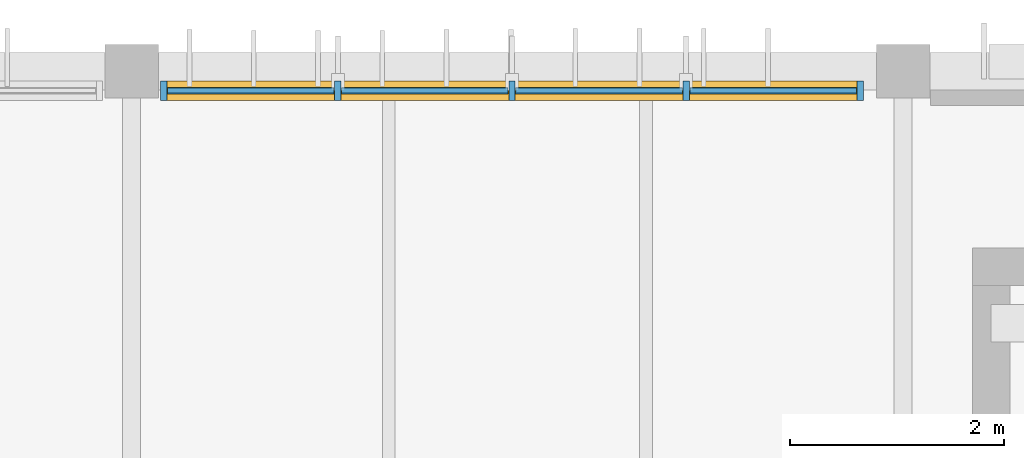
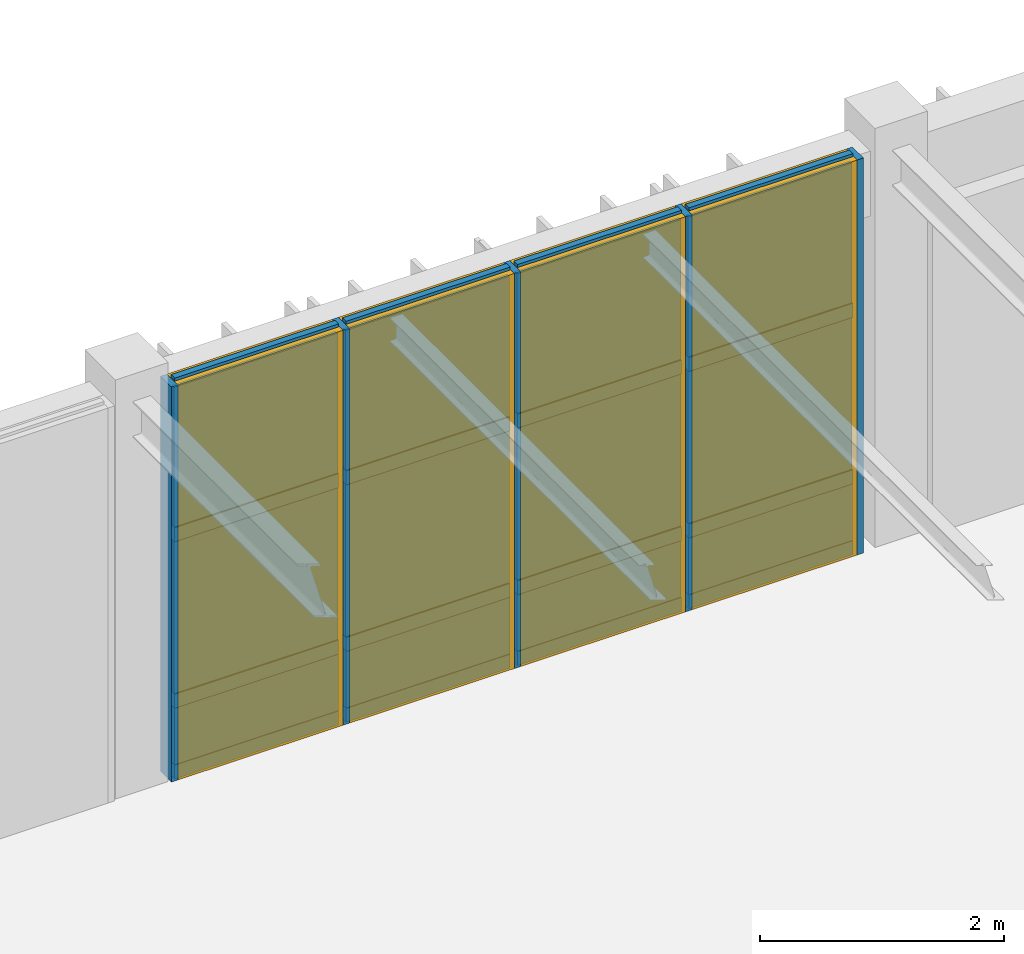
# One storey, part 85 of 104: 21 members, 12 plates, 1 curtain wall.
"""IFC4 building model written with IfcOpenShell, lengths in metres."""

import ifcopenshell
import ifcopenshell.guid

model = None  # the IFC model being written
_history = None  # IfcOwnerHistory: only IFC2X3 demands one
_inside = {}  # id of a spatial element -> (the spatial element, [elements in it])
_under = {}  # id of a project, library or spatial element -> (it, [spatial elements below it])
_declared = {}  # id of a project -> (the project, [libraries it declares])
_typed = {}  # id of a type object -> (the type object, [elements of that type])
_made_of = {}  # id of a material, layer set ... -> (it, [elements and type objects made of it])


def new_model(schema):
    """Start an empty IFC model of exactly this schema.

    Asked for "IFC4X3", IfcOpenShell would pick the latest addendum, in which some entities
    have other attributes; the version numbers below select the first issue.
    IFC2X3 requires an IfcOwnerHistory on every rooted entity: one is made here for all.
    """
    global model, _history
    if schema == "IFC4X3":
        model = ifcopenshell.file(schema_version=(4, 3, 0, 0))
    else:
        model = ifcopenshell.file(schema=schema)
    _inside.clear()
    _under.clear()
    _declared.clear()
    _typed.clear()
    _made_of.clear()
    _history = None
    if model.schema == "IFC2X3":
        org = make("IfcOrganization", Name="unknown")
        user = make(
            "IfcPersonAndOrganization",
            ThePerson=make("IfcPerson", FamilyName="unknown"),
            TheOrganization=org,
        )
        app = make(
            "IfcApplication",
            ApplicationDeveloper=org,
            Version="unknown",
            ApplicationFullName="unknown",
            ApplicationIdentifier="unknown",
        )
        _history = make(
            "IfcOwnerHistory",
            OwningUser=user,
            OwningApplication=app,
            ChangeAction="ADDED",
            CreationDate=0,
        )
    return model


def make(cls, **values):
    """One entity of the class cls with the attributes given. An attribute that is None is left unset."""
    return model.create_entity(
        cls, **{name: value for name, value in values.items() if value is not None}
    )


def rooted(cls, **values):
    """An entity with a GlobalId (a new one), such as an element, a storey or a relation."""
    return make(cls, GlobalId=ifcopenshell.guid.new(), OwnerHistory=_history, **values)


def si_unit(unit_type, name, prefix=None):
    """IfcSIUnit, for example si_unit("LENGTHUNIT", "METRE", prefix="MILLI")."""
    return make("IfcSIUnit", UnitType=unit_type, Prefix=prefix, Name=name)


def assignment(units):
    """IfcUnitAssignment: the units of a project."""
    return None if units is None else make("IfcUnitAssignment", Units=units)


def point(xyz):
    """IfcCartesianPoint."""
    return None if xyz is None else make("IfcCartesianPoint", Coordinates=xyz)


def direction(xyz):
    """IfcDirection."""
    return None if xyz is None else make("IfcDirection", DirectionRatios=xyz)


def frame(location, z_axis=None, x_axis=None):
    """IfcAxis2Placement3D, a coordinate frame: its origin and axes. An axis left out is left unset."""
    return make(
        "IfcAxis2Placement3D",
        Location=point(location),
        Axis=direction(z_axis),
        RefDirection=direction(x_axis),
    )


def frame_2d(location, x_axis=None):
    """IfcAxis2Placement2D, a coordinate frame in the plane: its origin and x axis."""
    return make(
        "IfcAxis2Placement2D", Location=point(location), RefDirection=direction(x_axis)
    )


def origin():
    """The frame at (0, 0, 0) with its axes left unset."""
    return frame((0.0, 0.0, 0.0))


def origin_2d():
    """The frame at (0, 0) in the plane with its x axis left unset."""
    return frame_2d((0.0, 0.0))


def place(relative_to, where):
    """IfcLocalPlacement: puts the frame where relative to a parent placement (None: the world)."""
    return make(
        "IfcLocalPlacement", PlacementRelTo=relative_to, RelativePlacement=where
    )


def context(
    kind, dimensions, precision=None, world=None, true_north=None, identifier=None
):
    """IfcGeometricRepresentationContext, for example the 3D "Model" context."""
    return make(
        "IfcGeometricRepresentationContext",
        ContextIdentifier=identifier,
        ContextType=kind,
        CoordinateSpaceDimension=dimensions,
        Precision=precision,
        WorldCoordinateSystem=world,
        TrueNorth=true_north,
    )


def subcontext(parent, identifier, kind, view, scale=None):
    """IfcGeometricRepresentationSubContext, for example "Body" below "Model"."""
    return make(
        "IfcGeometricRepresentationSubContext",
        ContextIdentifier=identifier,
        ContextType=kind,
        ParentContext=parent,
        TargetScale=scale,
        TargetView=view,
    )


def project(units=None, contexts=None):
    """IfcProject with its units and contexts."""
    return rooted(
        "IfcProject",
        Name="project",
        RepresentationContexts=contexts,
        UnitsInContext=assignment(units),
    )


def spatial(cls, under=None, at=None, **own):
    """A site, building, storey or space (cls), placed at a placement, below another one or the project."""
    s = rooted(cls, ObjectPlacement=at, **own)
    if under is not None:
        _under.setdefault(under.id(), (under, []))[1].append(s)
    return s


def profile(cls, at=None, kind="AREA", **sizes):
    """A parametric profile (cls). Its sizes go by their IFC names, for example OverallWidth=200.0."""
    return make(cls, ProfileType=kind, Position=at, **sizes)


def rectangle(**sizes):
    """IfcRectangleProfileDef."""
    return profile("IfcRectangleProfileDef", **sizes)


def extrude(swept, where, along, depth):
    """IfcExtrudedAreaSolid: the profile swept, set in the frame where, extruded along a direction by depth."""
    return make(
        "IfcExtrudedAreaSolid",
        SweptArea=swept,
        Position=where,
        ExtrudedDirection=direction(along),
        Depth=depth,
    )


def shape(context_of_items, identifier, shape_type, items):
    """IfcShapeRepresentation: the items that make up one representation, for example the "Body"."""
    return make(
        "IfcShapeRepresentation",
        ContextOfItems=context_of_items,
        RepresentationIdentifier=identifier,
        RepresentationType=shape_type,
        Items=items,
    )


def material(Name=None, Category=None):
    """IfcMaterial."""
    return make("IfcMaterial", Name=Name, Category=Category)


def layer(
    of_material, thickness, ventilated=None, Name=None, Category=None, Priority=None
):
    """IfcMaterialLayer: one layer of a wall or slab, of a material (None: an air gap)."""
    return make(
        "IfcMaterialLayer",
        Material=of_material,
        LayerThickness=thickness,
        IsVentilated=ventilated,
        Name=Name,
        Category=Category,
        Priority=Priority,
    )


def layer_set(layers, Name=None):
    """IfcMaterialLayerSet."""
    return make("IfcMaterialLayerSet", MaterialLayers=layers, LayerSetName=Name)


def material_profile(
    of_material, cross_section, Name=None, Category=None, Priority=None
):
    """IfcMaterialProfile: a cross section and its material."""
    return make(
        "IfcMaterialProfile",
        Name=Name,
        Material=of_material,
        Profile=cross_section,
        Priority=Priority,
        Category=Category,
    )


def profile_set(profiles, Name=None, composite=None):
    """IfcMaterialProfileSet."""
    return make(
        "IfcMaterialProfileSet",
        Name=Name,
        MaterialProfiles=profiles,
        CompositeProfile=composite,
    )


def made_of(thing, what):
    """Note that an element or type object is made of a material, layer set ...; save() writes the relation."""
    if what is not None:
        _made_of.setdefault(what.id(), (what, []))[1].append(thing)
    return thing


def type_object(cls, material=None, **own):
    """A type object (cls), such as IfcWallType, which elements share."""
    return made_of(rooted(cls, **own), material)


def element(
    cls,
    number,
    at=None,
    inside=None,
    cuts=None,
    type_object=None,
    material=None,
    context=None,
    identifier="Body",
    shape_type=None,
    held_by="IfcProductDefinitionShape",
    body=None,
    shapes=None,
    **own,
):
    """One element of the class cls, such as IfcWall. Its Tag is "e" and its number.

    at: its placement. inside: the storey or other place that contains it. cuts: it is an
    opening in that element (IfcRelVoidsElement). A single representation is given by context,
    identifier, shape_type and body (its items); several are given by shapes. held_by: the class
    of the entity that holds the representations. save() writes the other relations.
    """
    e = rooted(cls, Tag="e%d" % number, ObjectPlacement=at, **own)
    if body is not None:
        shapes = [shape(context, identifier, shape_type, body)]
    if shapes is not None:
        e.Representation = make(held_by, Representations=shapes)
    if inside is not None:
        _inside.setdefault(inside.id(), (inside, []))[1].append(e)
    if cuts is not None:
        rooted(
            "IfcRelVoidsElement", RelatingBuildingElement=cuts, RelatedOpeningElement=e
        )
    if type_object is not None:
        _typed.setdefault(type_object.id(), (type_object, []))[1].append(e)
    return made_of(e, material)


def aggregate(whole, parts):
    """IfcRelAggregates: a whole, such as a stair, and the parts it consists of."""
    return rooted("IfcRelAggregates", RelatingObject=whole, RelatedObjects=parts)


def save(model, path):
    """Write the relations noted so far, then the file.

    IfcRelAggregates (storeys below a building ...), IfcRelContainedInSpatialStructure (elements
    in a storey), IfcRelDefinesByType, IfcRelAssociatesMaterial and IfcRelDeclares: one each for
    every whole, place, type object, material and project.
    """
    for whole, parts in _under.values():
        aggregate(whole, parts)
    for where, things in _inside.values():
        rooted(
            "IfcRelContainedInSpatialStructure",
            RelatedElements=things,
            RelatingStructure=where,
        )
    for kind, things in _typed.values():
        rooted("IfcRelDefinesByType", RelatedObjects=things, RelatingType=kind)
    for what, things in _made_of.values():
        rooted("IfcRelAssociatesMaterial", RelatedObjects=things, RelatingMaterial=what)
    for by, libraries in _declared.values():
        rooted("IfcRelDeclares", RelatingContext=by, RelatedDefinitions=libraries)
    model.write(path)


model = new_model("IFC4")

# Units and contexts
model_context = context("Model", 3, precision=1e-05, world=origin(), true_north=direction((0.0, 1.0)))
body_context = subcontext(model_context, "Body", "Model", "MODEL_VIEW")
ifc_project = project(units=[si_unit("LENGTHUNIT", "METRE"), si_unit("AREAUNIT", "SQUARE_METRE"), si_unit("VOLUMEUNIT", "CUBIC_METRE"), si_unit("PLANEANGLEUNIT", "RADIAN"), si_unit("MASSUNIT", "GRAM", prefix="KILO")], contexts=[model_context])

# Member
ifc_material_1 = material(Name="Anodised Bronze Aluminium 6063-T6", Category="aluminium")
ifc_material_profile_1 = material_profile(ifc_material_1, rectangle(XDim=0.06005859375, YDim=0.179931640625, at=origin_2d()), Name="ALU MULLION 60x180")
ifc_profile_set_1 = profile_set([ifc_material_profile_1], Name="Anodised Bronze Aluminium 6063-T6")
member_type_1 = type_object("IfcMemberType", Name="Curtain-Wall Primary Mullion 60x180", PredefinedType="MULLION", material=ifc_profile_set_1)
site_placement = place(None, origin())
building_placement = place(site_placement, origin())
storey_placement = place(building_placement, frame((0.0, 0.0, 9.0)))
member_1_placement = place(storey_placement, frame((110.10009765625, 111.6201171875, 0.0), z_axis=(0.0, 0.0, 1.0), x_axis=(1.0, 0.0, 0.0)))
member_1 = element("IfcMember", 1, at=member_1_placement, type_object=member_type_1, Name="Mullion CWM-01 CW-V3-N1-L02-B2-M01", PredefinedType="MULLION", context=body_context, shape_type="SweptSolid", body=[
    extrude(rectangle(XDim=0.06005859375, YDim=0.179931640625, at=origin_2d()), origin(), (0.0, 0.0, 1.0), 3.9599609375),
])

member_2_placement = place(storey_placement, frame((111.72509765625, 111.6201171875, 0.0), z_axis=(0.0, 0.0, 1.0), x_axis=(1.0, 0.0, 0.0)))
member_2 = element("IfcMember", 2, at=member_2_placement, type_object=member_type_1, Name="Mullion CWM-01 CW-V3-N1-L02-B2-M02", PredefinedType="MULLION", context=body_context, shape_type="SweptSolid", body=[
    extrude(rectangle(XDim=0.06005859375, YDim=0.179931640625, at=origin_2d()), origin(), (0.0, 0.0, 1.0), 3.9599609375),
])

member_3_placement = place(storey_placement, frame((113.35009765625, 111.6201171875, 0.0), z_axis=(0.0, 0.0, 1.0), x_axis=(1.0, 0.0, 0.0)))
member_3 = element("IfcMember", 3, at=member_3_placement, type_object=member_type_1, Name="Mullion CWM-01 CW-V3-N1-L02-B2-M03", PredefinedType="MULLION", context=body_context, shape_type="SweptSolid", body=[
    extrude(rectangle(XDim=0.06005859375, YDim=0.179931640625, at=origin_2d()), origin(), (0.0, 0.0, 1.0), 3.9599609375),
])

member_4_placement = place(storey_placement, frame((114.97509765625, 111.6201171875, 0.0), z_axis=(0.0, 0.0, 1.0), x_axis=(1.0, 0.0, 0.0)))
member_4 = element("IfcMember", 4, at=member_4_placement, type_object=member_type_1, Name="Mullion CWM-01 CW-V3-N1-L02-B2-M04", PredefinedType="MULLION", context=body_context, shape_type="SweptSolid", body=[
    extrude(rectangle(XDim=0.06005859375, YDim=0.179931640625, at=origin_2d()), origin(), (0.0, 0.0, 1.0), 3.9599609375),
])

member_5_placement = place(storey_placement, frame((116.60009765625, 111.6201171875, 0.0), z_axis=(0.0, 0.0, 1.0), x_axis=(1.0, 0.0, 0.0)))
member_5 = element("IfcMember", 5, at=member_5_placement, type_object=member_type_1, Name="Mullion CWM-01 CW-V3-N1-L02-B2-M05", PredefinedType="MULLION", context=body_context, shape_type="SweptSolid", body=[
    extrude(rectangle(XDim=0.06005859375, YDim=0.179931640625, at=origin_2d()), origin(), (0.0, 0.0, 1.0), 3.9599609375),
])

ifc_material_profile_2 = material_profile(ifc_material_1, rectangle(XDim=0.06005859375, YDim=0.139892578125, at=origin_2d()), Name="ALU TRANSOM 60x140")
ifc_profile_set_2 = profile_set([ifc_material_profile_2], Name="Anodised Bronze Aluminium 6063-T6")
member_type_2 = type_object("IfcMemberType", Name="Curtain-Wall Transom 60x140", PredefinedType="USERDEFINED", material=ifc_profile_set_2)
member_6_placement = place(storey_placement, frame((110.135009765625, 111.6201171875, 0.0400390625), z_axis=(1.0, 0.0, 0.0), x_axis=(0.0, 1.0, 0.0)))
member_6 = element("IfcMember", 6, at=member_6_placement, type_object=member_type_2, Name="Transom CWT-01 CW-V3-N1-L02-B2-T01.1", ObjectType="TRANSOM", PredefinedType="USERDEFINED", context=body_context, shape_type="SweptSolid", body=[
    extrude(rectangle(XDim=0.06005859375, YDim=0.139892578125, at=origin_2d()), origin(), (0.0, 0.0, 1.0), 1.554931640625),
])

member_7_placement = place(storey_placement, frame((110.135009765625, 111.6201171875, 0.75), z_axis=(1.0, 0.0, 0.0), x_axis=(0.0, 1.0, 0.0)))
member_7 = element("IfcMember", 7, at=member_7_placement, type_object=member_type_2, Name="Transom CWT-01 CW-V3-N1-L02-B2-T01.2", ObjectType="TRANSOM", PredefinedType="USERDEFINED", context=body_context, shape_type="SweptSolid", body=[
    extrude(rectangle(XDim=0.06005859375, YDim=0.139892578125, at=origin_2d()), origin(), (0.0, 0.0, 1.0), 1.554931640625),
])

member_8_placement = place(storey_placement, frame((110.135009765625, 111.6201171875, 2.419189453125), z_axis=(1.0, 0.0, 0.0), x_axis=(0.0, 1.0, 0.0)))
member_8 = element("IfcMember", 8, at=member_8_placement, type_object=member_type_2, Name="Transom CWT-01 CW-V3-N1-L02-B2-T01.3", ObjectType="TRANSOM", PredefinedType="USERDEFINED", context=body_context, shape_type="SweptSolid", body=[
    extrude(rectangle(XDim=0.06005859375, YDim=0.139892578125, at=origin_2d()), origin(), (0.0, 0.0, 1.0), 1.554931640625),
])

member_9_placement = place(storey_placement, frame((110.135009765625, 111.6201171875, 3.919921875), z_axis=(1.0, 0.0, 0.0), x_axis=(0.0, 1.0, 0.0)))
member_9 = element("IfcMember", 9, at=member_9_placement, type_object=member_type_2, Name="Transom CWT-01 CW-V3-N1-L02-B2-T01.4", ObjectType="TRANSOM", PredefinedType="USERDEFINED", context=body_context, shape_type="SweptSolid", body=[
    extrude(rectangle(XDim=0.06005859375, YDim=0.139892578125, at=origin_2d()), origin(), (0.0, 0.0, 1.0), 1.554931640625),
])

member_10_placement = place(storey_placement, frame((111.760009765625, 111.6201171875, 0.0400390625), z_axis=(1.0, 0.0, 0.0), x_axis=(0.0, 1.0, 0.0)))
member_10 = element("IfcMember", 10, at=member_10_placement, type_object=member_type_2, Name="Transom CWT-01 CW-V3-N1-L02-B2-T02.1", ObjectType="TRANSOM", PredefinedType="USERDEFINED", context=body_context, shape_type="SweptSolid", body=[
    extrude(rectangle(XDim=0.06005859375, YDim=0.139892578125, at=origin_2d()), origin(), (0.0, 0.0, 1.0), 1.554931640625),
])

member_11_placement = place(storey_placement, frame((111.760009765625, 111.6201171875, 0.75), z_axis=(1.0, 0.0, 0.0), x_axis=(0.0, 1.0, 0.0)))
member_11 = element("IfcMember", 11, at=member_11_placement, type_object=member_type_2, Name="Transom CWT-01 CW-V3-N1-L02-B2-T02.2", ObjectType="TRANSOM", PredefinedType="USERDEFINED", context=body_context, shape_type="SweptSolid", body=[
    extrude(rectangle(XDim=0.06005859375, YDim=0.139892578125, at=origin_2d()), origin(), (0.0, 0.0, 1.0), 1.554931640625),
])

member_12_placement = place(storey_placement, frame((111.760009765625, 111.6201171875, 2.419189453125), z_axis=(1.0, 0.0, 0.0), x_axis=(0.0, 1.0, 0.0)))
member_12 = element("IfcMember", 12, at=member_12_placement, type_object=member_type_2, Name="Transom CWT-01 CW-V3-N1-L02-B2-T02.3", ObjectType="TRANSOM", PredefinedType="USERDEFINED", context=body_context, shape_type="SweptSolid", body=[
    extrude(rectangle(XDim=0.06005859375, YDim=0.139892578125, at=origin_2d()), origin(), (0.0, 0.0, 1.0), 1.554931640625),
])

member_13_placement = place(storey_placement, frame((111.760009765625, 111.6201171875, 3.919921875), z_axis=(1.0, 0.0, 0.0), x_axis=(0.0, 1.0, 0.0)))
member_13 = element("IfcMember", 13, at=member_13_placement, type_object=member_type_2, Name="Transom CWT-01 CW-V3-N1-L02-B2-T02.4", ObjectType="TRANSOM", PredefinedType="USERDEFINED", context=body_context, shape_type="SweptSolid", body=[
    extrude(rectangle(XDim=0.06005859375, YDim=0.139892578125, at=origin_2d()), origin(), (0.0, 0.0, 1.0), 1.554931640625),
])

member_14_placement = place(storey_placement, frame((113.385009765625, 111.6201171875, 0.0400390625), z_axis=(1.0, 0.0, 0.0), x_axis=(0.0, 1.0, 0.0)))
member_14 = element("IfcMember", 14, at=member_14_placement, type_object=member_type_2, Name="Transom CWT-01 CW-V3-N1-L02-B2-T03.1", ObjectType="TRANSOM", PredefinedType="USERDEFINED", context=body_context, shape_type="SweptSolid", body=[
    extrude(rectangle(XDim=0.06005859375, YDim=0.139892578125, at=origin_2d()), origin(), (0.0, 0.0, 1.0), 1.554931640625),
])

member_15_placement = place(storey_placement, frame((113.385009765625, 111.6201171875, 0.75), z_axis=(1.0, 0.0, 0.0), x_axis=(0.0, 1.0, 0.0)))
member_15 = element("IfcMember", 15, at=member_15_placement, type_object=member_type_2, Name="Transom CWT-01 CW-V3-N1-L02-B2-T03.2", ObjectType="TRANSOM", PredefinedType="USERDEFINED", context=body_context, shape_type="SweptSolid", body=[
    extrude(rectangle(XDim=0.06005859375, YDim=0.139892578125, at=origin_2d()), origin(), (0.0, 0.0, 1.0), 1.554931640625),
])

member_16_placement = place(storey_placement, frame((113.385009765625, 111.6201171875, 2.419189453125), z_axis=(1.0, 0.0, 0.0), x_axis=(0.0, 1.0, 0.0)))
member_16 = element("IfcMember", 16, at=member_16_placement, type_object=member_type_2, Name="Transom CWT-01 CW-V3-N1-L02-B2-T03.3", ObjectType="TRANSOM", PredefinedType="USERDEFINED", context=body_context, shape_type="SweptSolid", body=[
    extrude(rectangle(XDim=0.06005859375, YDim=0.139892578125, at=origin_2d()), origin(), (0.0, 0.0, 1.0), 1.554931640625),
])

member_17_placement = place(storey_placement, frame((113.385009765625, 111.6201171875, 3.919921875), z_axis=(1.0, 0.0, 0.0), x_axis=(0.0, 1.0, 0.0)))
member_17 = element("IfcMember", 17, at=member_17_placement, type_object=member_type_2, Name="Transom CWT-01 CW-V3-N1-L02-B2-T03.4", ObjectType="TRANSOM", PredefinedType="USERDEFINED", context=body_context, shape_type="SweptSolid", body=[
    extrude(rectangle(XDim=0.06005859375, YDim=0.139892578125, at=origin_2d()), origin(), (0.0, 0.0, 1.0), 1.554931640625),
])

member_18_placement = place(storey_placement, frame((115.010009765625, 111.6201171875, 0.0400390625), z_axis=(1.0, 0.0, 0.0), x_axis=(0.0, 1.0, 0.0)))
member_18 = element("IfcMember", 18, at=member_18_placement, type_object=member_type_2, Name="Transom CWT-01 CW-V3-N1-L02-B2-T04.1", ObjectType="TRANSOM", PredefinedType="USERDEFINED", context=body_context, shape_type="SweptSolid", body=[
    extrude(rectangle(XDim=0.06005859375, YDim=0.139892578125, at=origin_2d()), origin(), (0.0, 0.0, 1.0), 1.554931640625),
])

member_19_placement = place(storey_placement, frame((115.010009765625, 111.6201171875, 0.75), z_axis=(1.0, 0.0, 0.0), x_axis=(0.0, 1.0, 0.0)))
member_19 = element("IfcMember", 19, at=member_19_placement, type_object=member_type_2, Name="Transom CWT-01 CW-V3-N1-L02-B2-T04.2", ObjectType="TRANSOM", PredefinedType="USERDEFINED", context=body_context, shape_type="SweptSolid", body=[
    extrude(rectangle(XDim=0.06005859375, YDim=0.139892578125, at=origin_2d()), origin(), (0.0, 0.0, 1.0), 1.554931640625),
])

member_20_placement = place(storey_placement, frame((115.010009765625, 111.6201171875, 2.419189453125), z_axis=(1.0, 0.0, 0.0), x_axis=(0.0, 1.0, 0.0)))
member_20 = element("IfcMember", 20, at=member_20_placement, type_object=member_type_2, Name="Transom CWT-01 CW-V3-N1-L02-B2-T04.3", ObjectType="TRANSOM", PredefinedType="USERDEFINED", context=body_context, shape_type="SweptSolid", body=[
    extrude(rectangle(XDim=0.06005859375, YDim=0.139892578125, at=origin_2d()), origin(), (0.0, 0.0, 1.0), 1.554931640625),
])

member_21_placement = place(storey_placement, frame((115.010009765625, 111.6201171875, 3.919921875), z_axis=(1.0, 0.0, 0.0), x_axis=(0.0, 1.0, 0.0)))
member_21 = element("IfcMember", 21, at=member_21_placement, type_object=member_type_2, Name="Transom CWT-01 CW-V3-N1-L02-B2-T04.4", ObjectType="TRANSOM", PredefinedType="USERDEFINED", context=body_context, shape_type="SweptSolid", body=[
    extrude(rectangle(XDim=0.06005859375, YDim=0.139892578125, at=origin_2d()), origin(), (0.0, 0.0, 1.0), 1.554931640625),
])

# Plate
ifc_material_2 = material(Name="Insulated Bronze Aluminium Spandrel Panel", Category="aluminium")
ifc_layer_1 = layer(ifc_material_2, 0.050048828125, Name="Insulated Bronze Aluminium Spandrel Panel")
ifc_layer_set_1 = layer_set([ifc_layer_1], Name="Insulated Bronze Aluminium Spandrel Panel")
plate_type_1 = type_object("IfcPlateType", Name="Insulated Anodised Aluminium Spandrel Cassette 50", PredefinedType="CURTAIN_PANEL", material=ifc_layer_set_1)
plate_1_placement = place(storey_placement, frame((110.91259765625, 111.6201171875, 0.070068359375), z_axis=(0.0, 0.0, 1.0), x_axis=(1.0, 0.0, 0.0)))
plate_1 = element("IfcPlate", 22, at=plate_1_placement, type_object=plate_type_1, Name="Curtain Panel CWP-03 CW-V3-N1-L02-B2-P01.1", PredefinedType="CURTAIN_PANEL", context=body_context, shape_type="SweptSolid", body=[
    extrude(rectangle(XDim=1.554931640625, YDim=0.050048828125, at=origin_2d()), origin(), (0.0, 0.0, 1.0), 0.64990234375),
])

plate_2_placement = place(storey_placement, frame((112.53759765625, 111.6201171875, 0.070068359375), z_axis=(0.0, 0.0, 1.0), x_axis=(1.0, 0.0, 0.0)))
plate_2 = element("IfcPlate", 23, at=plate_2_placement, type_object=plate_type_1, Name="Curtain Panel CWP-03 CW-V3-N1-L02-B2-P02.1", PredefinedType="CURTAIN_PANEL", context=body_context, shape_type="SweptSolid", body=[
    extrude(rectangle(XDim=1.554931640625, YDim=0.050048828125, at=origin_2d()), origin(), (0.0, 0.0, 1.0), 0.64990234375),
])

plate_3_placement = place(storey_placement, frame((114.16259765625, 111.6201171875, 0.070068359375), z_axis=(0.0, 0.0, 1.0), x_axis=(1.0, 0.0, 0.0)))
plate_3 = element("IfcPlate", 24, at=plate_3_placement, type_object=plate_type_1, Name="Curtain Panel CWP-03 CW-V3-N1-L02-B2-P03.1", PredefinedType="CURTAIN_PANEL", context=body_context, shape_type="SweptSolid", body=[
    extrude(rectangle(XDim=1.554931640625, YDim=0.050048828125, at=origin_2d()), origin(), (0.0, 0.0, 1.0), 0.64990234375),
])

plate_4_placement = place(storey_placement, frame((115.78759765625, 111.6201171875, 0.070068359375), z_axis=(0.0, 0.0, 1.0), x_axis=(1.0, 0.0, 0.0)))
plate_4 = element("IfcPlate", 25, at=plate_4_placement, type_object=plate_type_1, Name="Curtain Panel CWP-03 CW-V3-N1-L02-B2-P04.1", PredefinedType="CURTAIN_PANEL", context=body_context, shape_type="SweptSolid", body=[
    extrude(rectangle(XDim=1.554931640625, YDim=0.050048828125, at=origin_2d()), origin(), (0.0, 0.0, 1.0), 0.64990234375),
])

ifc_material_3 = material(Name="Solar-Control Tempered Double Glazing", Category="glass")
ifc_layer_2 = layer(ifc_material_3, 0.0380859375, Name="Solar-Control Tempered Double Glazing")
ifc_layer_set_2 = layer_set([ifc_layer_2], Name="Solar-Control Tempered Double Glazing")
plate_type_2 = type_object("IfcPlateType", Name="Solar-Control Vision Glazing Unit 38", PredefinedType="CURTAIN_PANEL", material=ifc_layer_set_2)
plate_5_placement = place(storey_placement, frame((110.91259765625, 111.6201171875, 0.7802734375), z_axis=(0.0, 0.0, 1.0), x_axis=(1.0, 0.0, 0.0)))
plate_5 = element("IfcPlate", 26, at=plate_5_placement, type_object=plate_type_2, Name="Curtain Panel CWP-02 CW-V3-N1-L02-B2-P01.2", PredefinedType="CURTAIN_PANEL", context=body_context, shape_type="SweptSolid", body=[
    extrude(rectangle(XDim=1.554931640625, YDim=0.0380859375, at=origin_2d()), origin(), (0.0, 0.0, 1.0), 1.609130859375),
])

plate_6_placement = place(storey_placement, frame((110.91259765625, 111.6201171875, 2.44921875), z_axis=(0.0, 0.0, 1.0), x_axis=(1.0, 0.0, 0.0)))
plate_6 = element("IfcPlate", 27, at=plate_6_placement, type_object=plate_type_2, Name="Curtain Panel CWP-02 CW-V3-N1-L02-B2-P01.3", PredefinedType="CURTAIN_PANEL", context=body_context, shape_type="SweptSolid", body=[
    extrude(rectangle(XDim=1.554931640625, YDim=0.0380859375, at=origin_2d()), origin(), (0.0, 0.0, 1.0), 1.44091796875),
])

plate_7_placement = place(storey_placement, frame((112.53759765625, 111.6201171875, 0.7802734375), z_axis=(0.0, 0.0, 1.0), x_axis=(1.0, 0.0, 0.0)))
plate_7 = element("IfcPlate", 28, at=plate_7_placement, type_object=plate_type_2, Name="Curtain Panel CWP-02 CW-V3-N1-L02-B2-P02.2", PredefinedType="CURTAIN_PANEL", context=body_context, shape_type="SweptSolid", body=[
    extrude(rectangle(XDim=1.554931640625, YDim=0.0380859375, at=origin_2d()), origin(), (0.0, 0.0, 1.0), 1.609130859375),
])

plate_8_placement = place(storey_placement, frame((112.53759765625, 111.6201171875, 2.44921875), z_axis=(0.0, 0.0, 1.0), x_axis=(1.0, 0.0, 0.0)))
plate_8 = element("IfcPlate", 29, at=plate_8_placement, type_object=plate_type_2, Name="Curtain Panel CWP-02 CW-V3-N1-L02-B2-P02.3", PredefinedType="CURTAIN_PANEL", context=body_context, shape_type="SweptSolid", body=[
    extrude(rectangle(XDim=1.554931640625, YDim=0.0380859375, at=origin_2d()), origin(), (0.0, 0.0, 1.0), 1.44091796875),
])

plate_9_placement = place(storey_placement, frame((114.16259765625, 111.6201171875, 0.7802734375), z_axis=(0.0, 0.0, 1.0), x_axis=(1.0, 0.0, 0.0)))
plate_9 = element("IfcPlate", 30, at=plate_9_placement, type_object=plate_type_2, Name="Curtain Panel CWP-02 CW-V3-N1-L02-B2-P03.2", PredefinedType="CURTAIN_PANEL", context=body_context, shape_type="SweptSolid", body=[
    extrude(rectangle(XDim=1.554931640625, YDim=0.0380859375, at=origin_2d()), origin(), (0.0, 0.0, 1.0), 1.609130859375),
])

plate_10_placement = place(storey_placement, frame((114.16259765625, 111.6201171875, 2.44921875), z_axis=(0.0, 0.0, 1.0), x_axis=(1.0, 0.0, 0.0)))
plate_10 = element("IfcPlate", 31, at=plate_10_placement, type_object=plate_type_2, Name="Curtain Panel CWP-02 CW-V3-N1-L02-B2-P03.3", PredefinedType="CURTAIN_PANEL", context=body_context, shape_type="SweptSolid", body=[
    extrude(rectangle(XDim=1.554931640625, YDim=0.0380859375, at=origin_2d()), origin(), (0.0, 0.0, 1.0), 1.44091796875),
])

plate_11_placement = place(storey_placement, frame((115.78759765625, 111.6201171875, 0.7802734375), z_axis=(0.0, 0.0, 1.0), x_axis=(1.0, 0.0, 0.0)))
plate_11 = element("IfcPlate", 32, at=plate_11_placement, type_object=plate_type_2, Name="Curtain Panel CWP-02 CW-V3-N1-L02-B2-P04.2", PredefinedType="CURTAIN_PANEL", context=body_context, shape_type="SweptSolid", body=[
    extrude(rectangle(XDim=1.554931640625, YDim=0.0380859375, at=origin_2d()), origin(), (0.0, 0.0, 1.0), 1.609130859375),
])

plate_12_placement = place(storey_placement, frame((115.78759765625, 111.6201171875, 2.44921875), z_axis=(0.0, 0.0, 1.0), x_axis=(1.0, 0.0, 0.0)))
plate_12 = element("IfcPlate", 33, at=plate_12_placement, type_object=plate_type_2, Name="Curtain Panel CWP-02 CW-V3-N1-L02-B2-P04.3", PredefinedType="CURTAIN_PANEL", context=body_context, shape_type="SweptSolid", body=[
    extrude(rectangle(XDim=1.554931640625, YDim=0.0380859375, at=origin_2d()), origin(), (0.0, 0.0, 1.0), 1.44091796875),
])

# Site, building, storey
site = spatial("IfcSite", under=ifc_project, at=site_placement, CompositionType="ELEMENT")
building = spatial("IfcBuilding", under=site, at=building_placement, Name="Tazoul Stagehouse", CompositionType="ELEMENT")
storey = spatial("IfcBuildingStorey", under=building, at=storey_placement, Name="L02", CompositionType="ELEMENT", Elevation=9.0)

# Curtain wall
curtain_wall_type = type_object("IfcCurtainWallType", Name="Rehearsal North Daylight Curtain Wall", PredefinedType="NOTDEFINED", material=ifc_material_1)
curtain_wall_placement = place(storey_placement, frame((110.10009765625, 111.6201171875, 0.0), z_axis=(0.0, 0.0, 1.0), x_axis=(1.0, 0.0, 0.0)))
curtain_wall = element("IfcCurtainWall", 34, at=curtain_wall_placement, inside=storey, type_object=curtain_wall_type, Name="L02 Curtain Wall CW-04 (CW-V3-N1-L02-B2)", PredefinedType="NOTDEFINED", context=body_context, shape_type="SweptSolid", body=[
    extrude(rectangle(XDim=6.5, YDim=0.179931640625, at=frame_2d((3.25, 0.0))), origin(), (0.0, 0.0, 1.0), 3.9599609375),
])

aggregate(curtain_wall, [member_1, member_2, member_3, member_4, member_5, member_6, member_7, member_8, member_9, plate_1, plate_5, plate_6, member_10, member_11, member_12, member_13, plate_2, plate_7, plate_8, member_14, member_15, member_16, member_17, plate_3, plate_9, plate_10, member_18, member_19, member_20, member_21, plate_4, plate_11, plate_12])

save(model, "model.ifc")
